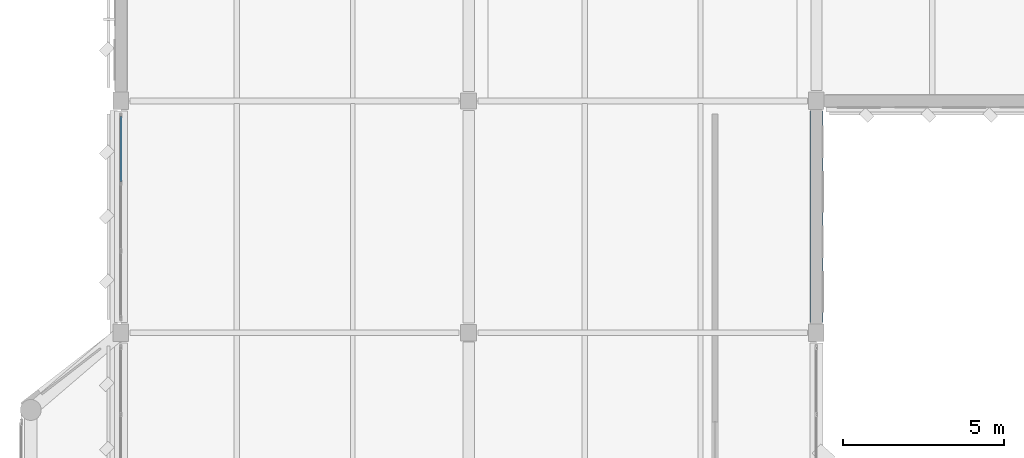
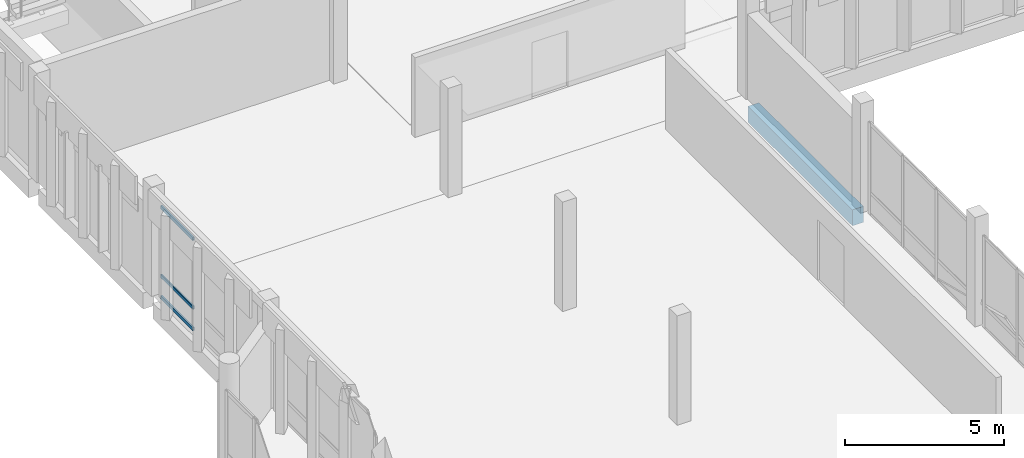
# One storey, part 19 of 72: 3 members, 1 beam, 1 element without a shape of its own.
"""IFC4 building model written with IfcOpenShell, lengths in metres."""

from ifc_helpers import new_model, si_unit, direction, frame, origin, origin_2d, place, context, subcontext, project, spatial, rectangle, hollow_rectangle, extrude, material, material_profile, profile_set, type_object, element, aggregate, save


model = new_model("IFC4")

# Units and contexts
model_context = context("Model", 3, precision=1e-05, world=origin(), true_north=direction((0.0, 1.0)))
body_context = subcontext(model_context, "Body", "Model", "MODEL_VIEW")
ifc_project = project(units=[si_unit("LENGTHUNIT", "METRE"), si_unit("AREAUNIT", "SQUARE_METRE"), si_unit("VOLUMEUNIT", "CUBIC_METRE"), si_unit("PLANEANGLEUNIT", "RADIAN"), si_unit("MASSUNIT", "GRAM", prefix="KILO")], contexts=[model_context])

# Site, building, storey
site_placement = place(None, origin())
site = spatial("IfcSite", under=ifc_project, at=site_placement, CompositionType="ELEMENT")
building_placement = place(site_placement, origin())
building = spatial("IfcBuilding", under=site, at=building_placement, Name="Lusvemor Sports Hall", CompositionType="ELEMENT")
storey_placement = place(building_placement, frame((0.0, 0.0, 15.0)))
storey = spatial("IfcBuildingStorey", under=building, at=storey_placement, Name="L03", CompositionType="ELEMENT", Elevation=15.0)

# Curtain wall, members
ifc_material_1 = material(Name="Thermally broken bronze-anodized aluminium", Category="aluminium")
curtain_wall_type = type_object("IfcCurtainWallType", Name="CW_WING_B", PredefinedType="NOTDEFINED", material=ifc_material_1)
curtain_wall_placement = place(storey_placement, origin())
curtain_wall = element("IfcCurtainWall", 1, at=curtain_wall_placement, inside=storey, type_object=curtain_wall_type, Name="Curtain Wall CW-L03-W-0-5", PredefinedType="NOTDEFINED")
ifc_material_2 = material(Name="Thermally broken bronze-anodized aluminium", Category="aluminium")
ifc_material_profile_1 = material_profile(ifc_material_2, hollow_rectangle(XDim=0.06005859375, YDim=0.135009765625, WallThickness=0.00390625, InnerFilletRadius=0.00390625, OuterFilletRadius=0.008056640625, at=origin_2d()), Name="CWTRN135x60x4")
ifc_profile_set_1 = profile_set([ifc_material_profile_1], Name="Thermally broken bronze-anodized aluminium")
member_type = type_object("IfcMemberType", Name="CW_TRN_B", PredefinedType="USERDEFINED", material=ifc_profile_set_1)
member_1_placement = place(storey_placement, frame((0.0, 94.6923828125, 0.030029296875), z_axis=(0.0, 1.0, 0.0), x_axis=(-1.0, 0.0, 0.0)))
member_1 = element("IfcMember", 2, at=member_1_placement, type_object=member_type, Name="CW02 transom 3.1", ObjectType="TRANSOM", PredefinedType="USERDEFINED", context=body_context, shape_type="SweptSolid", body=[
    extrude(hollow_rectangle(XDim=0.06005859375, YDim=0.135009765625, WallThickness=0.00390625, InnerFilletRadius=0.00390625, OuterFilletRadius=0.008056640625, at=origin_2d()), origin(), (0.0, 0.0, 1.0), 2.022705078125),
])
member_2_placement = place(storey_placement, frame((0.0, 94.6923828125, 0.85009765625), z_axis=(0.0, 1.0, 0.0), x_axis=(-1.0, 0.0, 0.0)))
member_2 = element("IfcMember", 3, at=member_2_placement, type_object=member_type, Name="CW02 transom 3.2", ObjectType="TRANSOM", PredefinedType="USERDEFINED", context=body_context, shape_type="SweptSolid", body=[
    extrude(hollow_rectangle(XDim=0.06005859375, YDim=0.135009765625, WallThickness=0.00390625, InnerFilletRadius=0.00390625, OuterFilletRadius=0.008056640625, at=origin_2d()), origin(), (0.0, 0.0, 1.0), 2.022705078125),
])
member_3_placement = place(storey_placement, frame((0.0, 94.6923828125, 3.489990234375), z_axis=(0.0, 1.0, 0.0), x_axis=(-1.0, 0.0, 0.0)))
member_3 = element("IfcMember", 4, at=member_3_placement, type_object=member_type, Name="CW02 transom 3.3", ObjectType="TRANSOM", PredefinedType="USERDEFINED", context=body_context, shape_type="SweptSolid", body=[
    extrude(hollow_rectangle(XDim=0.06005859375, YDim=0.135009765625, WallThickness=0.00390625, InnerFilletRadius=0.00390625, OuterFilletRadius=0.008056640625, at=origin_2d()), origin(), (0.0, 0.0, 1.0), 2.022705078125),
])
aggregate(curtain_wall, [member_1, member_2, member_3])

# Beam
ifc_material_3 = material(Name="Concrete C40/50", Category="concrete")
ifc_material_profile_2 = material_profile(ifc_material_3, rectangle(XDim=0.39990234375, YDim=0.610107421875, at=origin_2d()), Name="RC400x610")
ifc_profile_set_2 = profile_set([ifc_material_profile_2], Name="Concrete C40/50")
beam_type = type_object("IfcBeamType", Name="SPAND_EXT_650", PredefinedType="SPANDREL", material=ifc_profile_set_2)
beam_placement = place(storey_placement, frame((21.60009765625, 90.31591796875, -0.544921875), z_axis=(0.0, 1.0, 0.0), x_axis=(-1.0, 0.0, 0.0)))
element("IfcBeam", 5, at=beam_placement, inside=storey, type_object=beam_type, Name="Beam L03 3:M-N", PredefinedType="SPANDREL", context=body_context, shape_type="SweptSolid", body=[
    extrude(rectangle(XDim=0.39990234375, YDim=0.610107421875, at=origin_2d()), origin(), (0.0, 0.0, 1.0), 6.568115234375),
])

save(model, "model.ifc")
